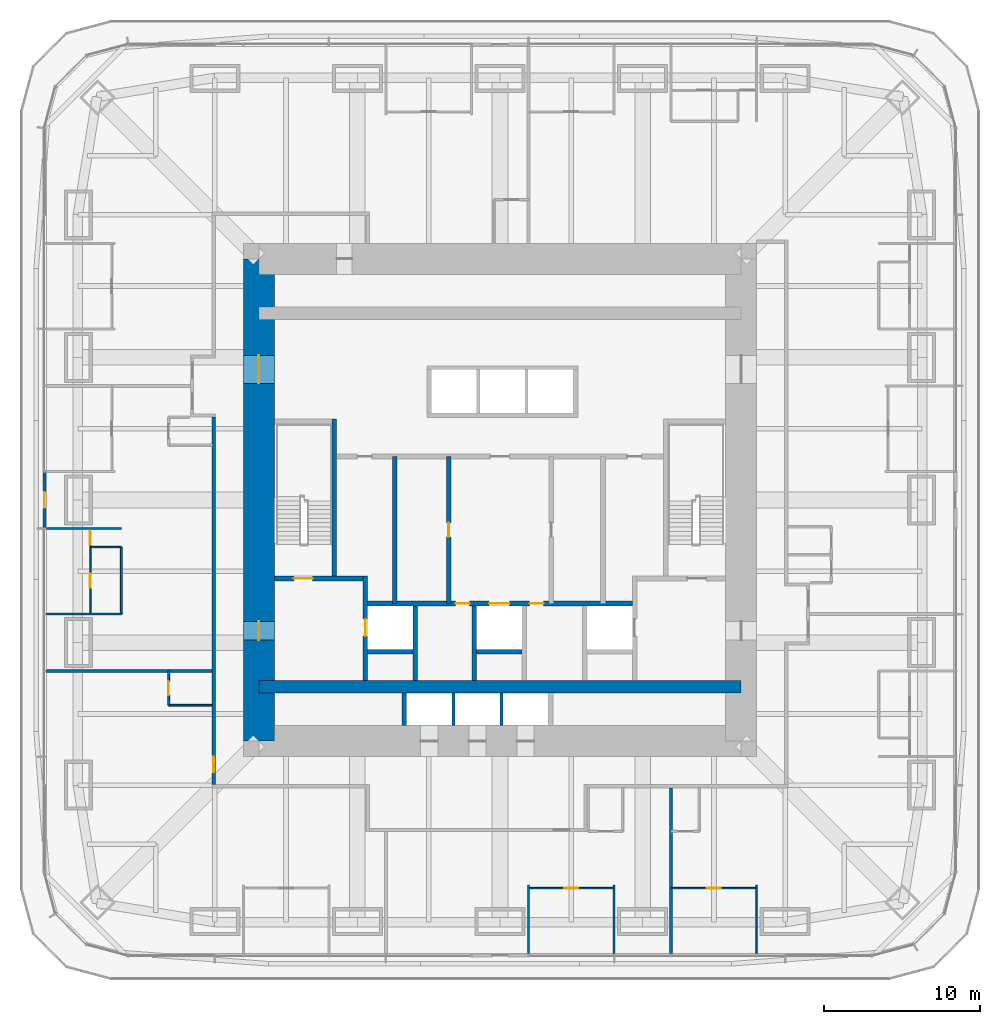
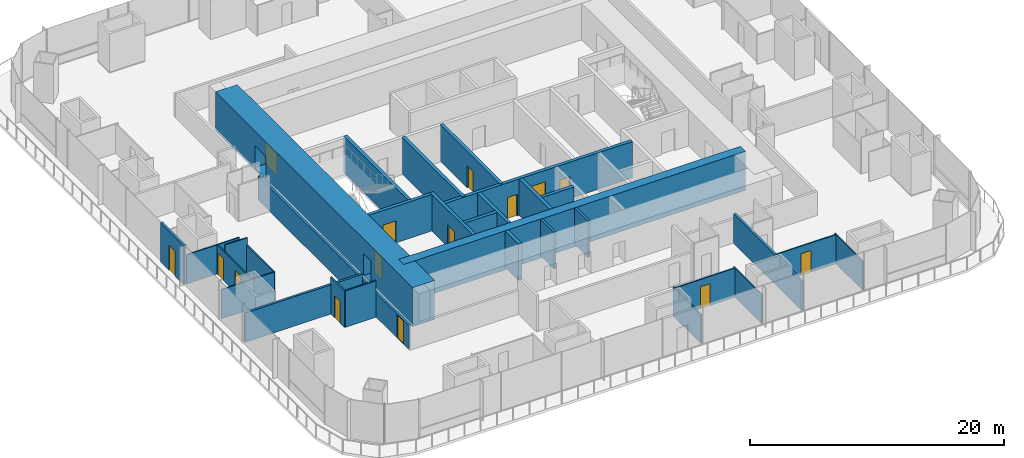
# One storey, part 11 of 16: 31 walls, 15 doors, 15 openings.
"""IFC4 building model written with IfcOpenShell, lengths in metres."""

from ifc_helpers import new_model, si_unit, direction, frame, frame_2d, origin, place, context, subcontext, project, spatial, rectangle, extrude, material, layer, layer_set, type_object, element, fill, save


model = new_model("IFC4")

# Units and contexts
model_context = context("Model", 3, precision=1e-05, world=origin(), true_north=direction((0.0, 1.0)))
body_context = subcontext(model_context, "Body", "Model", "MODEL_VIEW")
ifc_project = project(units=[si_unit("LENGTHUNIT", "METRE"), si_unit("AREAUNIT", "SQUARE_METRE"), si_unit("VOLUMEUNIT", "CUBIC_METRE"), si_unit("PLANEANGLEUNIT", "RADIAN"), si_unit("MASSUNIT", "GRAM", prefix="KILO")], contexts=[model_context])

# Site, building, storey
site_placement = place(None, origin())
site = spatial("IfcSite", under=ifc_project, at=site_placement, CompositionType="ELEMENT")
building_placement = place(site_placement, origin())
building = spatial("IfcBuilding", under=site, at=building_placement, Name="Khuree Lantern Residences", CompositionType="ELEMENT")
storey_placement = place(building_placement, frame((0.0, 0.0, 107.25)))
storey = spatial("IfcBuildingStorey", under=building, at=storey_placement, Name="L26", CompositionType="ELEMENT", Elevation=107.25)

# Wall
ifc_material_1 = material(Name="Moisture-resistant gypsum board on steel studs", Category="steel")
ifc_layer_1 = layer(ifc_material_1, 0.125)
ifc_layer_set_1 = layer_set([ifc_layer_1], Name="BATHROOM WALL BTW125")
wall_type_1 = type_object("IfcWallType", Name="BATHROOM WALL BTW125", PredefinedType="PARTITIONING", material=ifc_layer_set_1)
wall_1_placement = place(storey_placement, frame((-24.329833984375, -3.031982421875, 0.0), z_axis=(0.0, 0.0, 1.0), x_axis=(0.0, -1.0, 0.0)))
element("IfcWall", 1, at=wall_1_placement, inside=storey, type_object=wall_type_1, Name="L26 BATHROOM WALL 03", PredefinedType="PARTITIONING", context=body_context, shape_type="SweptSolid", body=[
    extrude(rectangle(XDim=4.2958984375, YDim=0.125, at=frame_2d((2.14794921875, 0.0))), origin(), (0.0, 0.0, 1.0), 2.81005859375),
])

# Wall, opening, door
wall_2_placement = place(storey_placement, frame((-21.300048828125, -10.991943359375, 0.0), z_axis=(0.0, 0.0, 1.0), x_axis=(0.0, -1.0, 0.0)))
wall_2 = element("IfcWall", 2, at=wall_2_placement, inside=storey, type_object=wall_type_1, Name="L26 BATHROOM WALL 04", PredefinedType="PARTITIONING", context=body_context, shape_type="SweptSolid", body=[
    extrude(rectangle(XDim=2.199951171875, YDim=0.125, at=frame_2d((1.10009765625, 0.0))), origin(), (0.0, 0.0, 1.0), 3.5),
])
opening_1_placement = place(wall_2_placement, frame((0.64990234375, 0.0, 0.0)))
opening_1 = element("IfcOpeningElement", 3, at=opening_1_placement, cuts=wall_2, Name="Opening 26-040", PredefinedType="OPENING", context=body_context, shape_type="SweptSolid", body=[
    extrude(rectangle(XDim=0.89990234375, YDim=2.10009765625, at=frame_2d((0.449951171875, 1.050048828125))), frame((0.0, 0.072509765625, 0.0), z_axis=(0.0, -1.0, 0.0), x_axis=(1.0, 0.0, 0.0)), (0.0, 0.0, 1.0), 0.14501953125),
])
ifc_material_2 = material(Name="Timber door leaf in hardwood frame", Category="wood")
door_type_1 = type_object("IfcDoorType", Name="BATHROOM DOOR 900X2100", OperationType="SINGLE_SWING_LEFT", PredefinedType="DOOR", material=ifc_material_2)
door_1_placement = place(opening_1_placement, origin())
door_1 = element("IfcDoor", 4, at=door_1_placement, inside=storey, type_object=door_type_1, Name="Bathroom door 26-040", OperationType="SINGLE_SWING_LEFT", OverallHeight=2.10009765625, OverallWidth=0.89990234375, PredefinedType="DOOR", context=body_context, shape_type="SweptSolid", body=[
    extrude(rectangle(XDim=0.89990234375, YDim=2.10009765625, at=frame_2d((0.449951171875, 1.050048828125))), frame((0.0, 0.02490234375, 0.0), z_axis=(0.0, -1.0, 0.0), x_axis=(1.0, 0.0, 0.0)), (0.0, 0.0, 1.0), 0.050048828125),
])
fill(opening_1, door_1)

# Wall
wall_3_placement = place(storey_placement, frame((-18.5, -13.19189453125, 0.0), z_axis=(0.0, 0.0, 1.0), x_axis=(-1.0, 0.0, 0.0)))
element("IfcWall", 5, at=wall_3_placement, inside=storey, type_object=wall_type_1, Name="L26 BATHROOM WALL 04", PredefinedType="PARTITIONING", context=body_context, shape_type="SweptSolid", body=[
    extrude(rectangle(XDim=2.800048828125, YDim=0.125, at=frame_2d((1.39990234375, 0.0))), origin(), (0.0, 0.0, 1.0), 3.5),
])

# Wall, opening, door
ifc_material_3 = material(Name="Dense concrete blockwork", Category="masonry")
ifc_layer_2 = layer(ifc_material_3, 0.300048828125)
ifc_layer_set_2 = layer_set([ifc_layer_2], Name="CORE PARTITION WALL CPW300 EI 120")
wall_type_2 = type_object("IfcWallType", Name="CORE PARTITION WALL CPW300 EI 120", PredefinedType="PARTITIONING", material=ifc_layer_set_2)
wall_4_placement = place(storey_placement, frame((-8.64990234375, -11.60009765625, 0.0), z_axis=(0.0, 0.0, 1.0), x_axis=(0.0, 1.0, 0.0)))
wall_4 = element("IfcWall", 6, at=wall_4_placement, inside=storey, type_object=wall_type_2, Name="L26 CORE WALL FL1W", PredefinedType="PARTITIONING", context=body_context, shape_type="SweptSolid", body=[
    extrude(rectangle(XDim=6.7001953125, YDim=0.300048828125, at=frame_2d((3.35009765625, 0.0))), origin(), (0.0, 0.0, 1.0), 3.5),
])
opening_2_placement = place(wall_4_placement, frame((2.85009765625, 0.0, 0.0)))
opening_2 = element("IfcOpeningElement", 7, at=opening_2_placement, cuts=wall_4, Name="Opening 26-007", PredefinedType="OPENING", context=body_context, shape_type="SweptSolid", body=[
    extrude(rectangle(XDim=1.10009765625, YDim=2.10009765625, at=frame_2d((0.550048828125, 1.050048828125))), frame((0.0, 0.16015625, 0.0), z_axis=(0.0, -1.0, 0.0), x_axis=(1.0, 0.0, 0.0)), (0.0, 0.0, 1.0), 0.320068359375),
])
ifc_material_4 = material(Name="Stainless steel lift landing door", Category="steel")
door_type_2 = type_object("IfcDoorType", Name="LIFT LANDING DOOR 1100X2100 E 120", OperationType="DOUBLE_DOOR_SLIDING", PredefinedType="DOOR", material=ifc_material_4)
door_2_placement = place(opening_2_placement, origin())
door_2 = element("IfcDoor", 8, at=door_2_placement, inside=storey, type_object=door_type_2, Name="Landing door FL1 26-007", OperationType="DOUBLE_DOOR_SLIDING", OverallHeight=2.10009765625, OverallWidth=1.10009765625, PredefinedType="DOOR", context=body_context, shape_type="SweptSolid", body=[
    extrude(rectangle(XDim=1.10009765625, YDim=2.10009765625, at=frame_2d((0.550048828125, 1.050048828125))), frame((0.0, 0.02490234375, 0.0), z_axis=(0.0, -1.0, 0.0), x_axis=(1.0, 0.0, 0.0)), (0.0, 0.0, 1.0), 0.050048828125),
])
fill(opening_2, door_2)

# Wall, openings, doors
wall_5_placement = place(storey_placement, frame((-8.5, -6.64990234375, 0.0), z_axis=(0.0, 0.0, 1.0), x_axis=(1.0, 0.0, 0.0)))
wall_5 = element("IfcWall", 9, at=wall_5_placement, inside=storey, type_object=wall_type_2, Name="L26 CORE WALL FLROW", PredefinedType="PARTITIONING", context=body_context, shape_type="SweptSolid", body=[
    extrude(rectangle(XDim=17.0, YDim=0.300048828125, at=frame_2d((8.5, 0.0))), origin(), (0.0, 0.0, 1.0), 3.5),
])
opening_3_placement = place(wall_5_placement, frame((7.800048828125, 0.0, 0.0)))
opening_3 = element("IfcOpeningElement", 10, at=opening_3_placement, cuts=wall_5, Name="Opening 26-012", PredefinedType="OPENING", context=body_context, shape_type="SweptSolid", body=[
    extrude(rectangle(XDim=1.300048828125, YDim=2.39990234375, at=frame_2d((0.64990234375, 1.199951171875))), frame((0.0, 0.16015625, 0.0), z_axis=(0.0, -1.0, 0.0), x_axis=(1.0, 0.0, 0.0)), (0.0, 0.0, 1.0), 0.320068359375),
])
opening_4_placement = place(wall_5_placement, frame((5.64990234375, 0.0, 0.0)))
opening_4 = element("IfcOpeningElement", 11, at=opening_4_placement, cuts=wall_5, Name="Opening 26-014", PredefinedType="OPENING", context=body_context, shape_type="SweptSolid", body=[
    extrude(rectangle(XDim=0.89990234375, YDim=2.10009765625, at=frame_2d((0.449951171875, 1.050048828125))), frame((0.0, 0.16015625, 0.0), z_axis=(0.0, -1.0, 0.0), x_axis=(1.0, 0.0, 0.0)), (0.0, 0.0, 1.0), 0.320068359375),
])
opening_5_placement = place(wall_5_placement, frame((10.39990234375, 0.0, 0.0)))
opening_5 = element("IfcOpeningElement", 12, at=opening_5_placement, cuts=wall_5, Name="Opening 26-015", PredefinedType="OPENING", context=body_context, shape_type="SweptSolid", body=[
    extrude(rectangle(XDim=0.89990234375, YDim=2.10009765625, at=frame_2d((0.449951171875, 1.050048828125))), frame((0.0, 0.16015625, 0.0), z_axis=(0.0, -1.0, 0.0), x_axis=(1.0, 0.0, 0.0)), (0.0, 0.0, 1.0), 0.320068359375),
])
ifc_material_5 = material(Name="Steel door leaf in steel frame", Category="steel")
door_type_3 = type_object("IfcDoorType", Name="DOOR 900X2100 EI 60", OperationType="SINGLE_SWING_LEFT", PredefinedType="DOOR", material=ifc_material_5)
door_3_placement = place(opening_4_placement, origin())
door_3 = element("IfcDoor", 13, at=door_3_placement, inside=storey, type_object=door_type_3, Name="Refuse chute room door 26-014", OperationType="SINGLE_SWING_LEFT", OverallHeight=2.10009765625, OverallWidth=0.89990234375, PredefinedType="DOOR", context=body_context, shape_type="SweptSolid", body=[
    extrude(rectangle(XDim=0.89990234375, YDim=2.10009765625, at=frame_2d((0.449951171875, 1.050048828125))), frame((0.0, 0.02490234375, 0.0), z_axis=(0.0, -1.0, 0.0), x_axis=(1.0, 0.0, 0.0)), (0.0, 0.0, 1.0), 0.050048828125),
])
fill(opening_4, door_3)
door_type_4 = type_object("IfcDoorType", Name="DOOR 900X2100 EI 60 RIGHT HAND", OperationType="SINGLE_SWING_RIGHT", PredefinedType="DOOR", material=ifc_material_5)
door_4_placement = place(opening_5_placement, origin())
door_4 = element("IfcDoor", 14, at=door_4_placement, inside=storey, type_object=door_type_4, Name="Electrical and plumbing riser door 26-015", OperationType="SINGLE_SWING_RIGHT", OverallHeight=2.10009765625, OverallWidth=0.89990234375, PredefinedType="DOOR", context=body_context, shape_type="SweptSolid", body=[
    extrude(rectangle(XDim=0.89990234375, YDim=2.10009765625, at=frame_2d((0.449951171875, 1.050048828125))), frame((0.0, 0.02490234375, 0.0), z_axis=(0.0, -1.0, 0.0), x_axis=(1.0, 0.0, 0.0)), (0.0, 0.0, 1.0), 0.050048828125),
])
fill(opening_5, door_4)
door_type_5 = type_object("IfcDoorType", Name="LIFT LANDING DOOR 1300X2400 E 60", OperationType="DOUBLE_DOOR_SLIDING", PredefinedType="DOOR", material=ifc_material_4)
door_5_placement = place(opening_3_placement, origin())
door_5 = element("IfcDoor", 15, at=door_5_placement, inside=storey, type_object=door_type_5, Name="Landing door SL1 26-012", OperationType="DOUBLE_DOOR_SLIDING", OverallHeight=2.39990234375, OverallWidth=1.300048828125, PredefinedType="DOOR", context=body_context, shape_type="SweptSolid", body=[
    extrude(rectangle(XDim=1.300048828125, YDim=2.39990234375, at=frame_2d((0.64990234375, 1.199951171875))), frame((0.0, 0.02490234375, 0.0), z_axis=(0.0, -1.0, 0.0), x_axis=(1.0, 0.0, 0.0)), (0.0, 0.0, 1.0), 0.050048828125),
])
fill(opening_3, door_5)

# Walls
for number, where, z_axis, x_axis, name in (
    (16, (-5.449951171875, -11.60009765625, 0.0), (0.0, 0.0, 1.0), (0.0, 1.0, 0.0), "L26 CORE WALL FL1E"),
    (17, (-1.64990234375, -11.60009765625, 0.0), (0.0, 0.0, 1.0), (0.0, 1.0, 0.0), "L26 CORE WALL SL1W"),
):
    element("IfcWall", number, at=place(storey_placement, frame(where, z_axis=z_axis, x_axis=x_axis)), inside=storey, type_object=wall_type_2, Name=name, PredefinedType="PARTITIONING", context=body_context, shape_type="SweptSolid", body=[
        extrude(rectangle(XDim=4.800048828125, YDim=0.300048828125, at=frame_2d((2.39990234375, 0.0))), origin(), (0.0, 0.0, 1.0), 3.5),
    ])
for number, where, z_axis, x_axis, name in (
    (18, (-8.5, -9.75, 0.0), (0.0, 0.0, 1.0), (1.0, 0.0, 0.0), "L26 CORE WALL FL1S"),
    (19, (-1.5, -9.75, 0.0), (0.0, 0.0, 1.0), (1.0, 0.0, 0.0), "L26 CORE WALL SL1S"),
):
    element("IfcWall", number, at=place(storey_placement, frame(where, z_axis=z_axis, x_axis=x_axis)), inside=storey, type_object=wall_type_2, Name=name, PredefinedType="PARTITIONING", context=body_context, shape_type="SweptSolid", body=[
        extrude(rectangle(XDim=2.89990234375, YDim=0.300048828125, at=frame_2d((1.449951171875, 0.0))), origin(), (0.0, 0.0, 1.0), 3.5),
    ])
wall_6_placement = place(storey_placement, frame((-6.14990234375, -14.5, 0.0), z_axis=(0.0, 0.0, 1.0), x_axis=(0.0, 1.0, 0.0)))
element("IfcWall", 20, at=wall_6_placement, inside=storey, type_object=wall_type_2, Name="L26 CORE WALL PMW", PredefinedType="PARTITIONING", context=body_context, shape_type="SweptSolid", body=[
    extrude(rectangle(XDim=2.10009765625, YDim=0.300048828125, at=frame_2d((1.050048828125, 0.0))), origin(), (0.0, 0.0, 1.0), 3.5),
])

# Wall, opening, door
wall_7_placement = place(storey_placement, frame((-3.300048828125, -6.64990234375, 0.0), z_axis=(0.0, 0.0, 1.0), x_axis=(0.0, 1.0, 0.0)))
wall_7 = element("IfcWall", 21, at=wall_7_placement, inside=storey, type_object=wall_type_2, Name="L26 CORE WALL SVW", PredefinedType="PARTITIONING", context=body_context, shape_type="SweptSolid", body=[
    extrude(rectangle(XDim=9.449951171875, YDim=0.300048828125, at=frame_2d((4.72509765625, 0.0))), origin(), (0.0, 0.0, 1.0), 3.5),
])
opening_6_placement = place(wall_7_placement, frame((4.27490234375, 0.0, 0.0)))
opening_6 = element("IfcOpeningElement", 22, at=opening_6_placement, cuts=wall_7, Name="Opening 26-016", PredefinedType="OPENING", context=body_context, shape_type="SweptSolid", body=[
    extrude(rectangle(XDim=0.89990234375, YDim=2.10009765625, at=frame_2d((0.449951171875, 1.050048828125))), frame((0.0, 0.16015625, 0.0), z_axis=(0.0, -1.0, 0.0), x_axis=(1.0, 0.0, 0.0)), (0.0, 0.0, 1.0), 0.320068359375),
])
door_type_6 = type_object("IfcDoorType", Name="DOOR 900X2100", OperationType="SINGLE_SWING_LEFT", PredefinedType="DOOR", material=ifc_material_2)
door_6_placement = place(opening_6_placement, origin())
door_6 = element("IfcDoor", 23, at=door_6_placement, inside=storey, type_object=door_type_6, Name="Residents' store door 26-016", OperationType="SINGLE_SWING_LEFT", OverallHeight=2.10009765625, OverallWidth=0.89990234375, PredefinedType="DOOR", context=body_context, shape_type="SweptSolid", body=[
    extrude(rectangle(XDim=0.89990234375, YDim=2.10009765625, at=frame_2d((0.449951171875, 1.050048828125))), frame((0.0, 0.02490234375, 0.0), z_axis=(0.0, -1.0, 0.0), x_axis=(1.0, 0.0, 0.0)), (0.0, 0.0, 1.0), 0.050048828125),
])
fill(opening_6, door_6)

# Wall
wall_8_placement = place(storey_placement, frame((-6.763916015625, -6.64990234375, 0.0), z_axis=(0.0, 0.0, 1.0), x_axis=(0.0, 1.0, 0.0)))
element("IfcWall", 24, at=wall_8_placement, inside=storey, type_object=wall_type_2, Name="L26 CORE WALL WV", PredefinedType="PARTITIONING", context=body_context, shape_type="SweptSolid", body=[
    extrude(rectangle(XDim=9.449951171875, YDim=0.300048828125, at=frame_2d((4.72509765625, 0.0))), origin(), (0.0, 0.0, 1.0), 3.5),
])

# Wall, opening, door
ifc_material_6 = material(Name="Gypsum board on steel studs", Category="steel")
ifc_layer_3 = layer(ifc_material_6, 0.199951171875)
ifc_layer_set_3 = layer_set([ifc_layer_3], Name="CORRIDOR WALL CRW200 EI 60")
wall_type_3 = type_object("IfcWallType", Name="CORRIDOR WALL CRW200 EI 60", PredefinedType="PARTITIONING", material=ifc_layer_set_3)
wall_9_placement = place(storey_placement, frame((-18.39990234375, 5.327880859375, 0.0), z_axis=(0.0, 0.0, 1.0), x_axis=(0.0, -1.0, 0.0)))
wall_9 = element("IfcWall", 25, at=wall_9_placement, inside=storey, type_object=wall_type_3, Name="L26 CORRIDOR WALL WEST 2", PredefinedType="PARTITIONING", context=body_context, shape_type="SweptSolid", body=[
    extrude(rectangle(XDim=23.6279296875, YDim=0.199951171875, at=frame_2d((11.81396484375, 0.0))), origin(), (0.0, 0.0, 1.0), 2.300048828125),
])
opening_7_placement = place(wall_9_placement, frame((21.840087890625, 0.0, 0.0)))
opening_7 = element("IfcOpeningElement", 26, at=opening_7_placement, cuts=wall_9, Name="Opening 26-041", PredefinedType="OPENING", context=body_context, shape_type="SweptSolid", body=[
    extrude(rectangle(XDim=1.0, YDim=2.199951171875, at=frame_2d((0.5, 1.10009765625))), frame((0.0, 0.10986328125, 0.0), z_axis=(0.0, -1.0, 0.0), x_axis=(1.0, 0.0, 0.0)), (0.0, 0.0, 1.0), 0.219970703125),
])
door_type_7 = type_object("IfcDoorType", Name="APARTMENT ENTRANCE DOOR 1000X2200 EI 30S RIGHT HAND", OperationType="SINGLE_SWING_RIGHT", PredefinedType="DOOR", material=ifc_material_2)
door_7_placement = place(opening_7_placement, origin())
door_7 = element("IfcDoor", 27, at=door_7_placement, inside=storey, type_object=door_type_7, Name="Apartment 04 entrance door 26-041", OperationType="SINGLE_SWING_RIGHT", OverallHeight=2.199951171875, OverallWidth=1.0, PredefinedType="DOOR", context=body_context, shape_type="SweptSolid", body=[
    extrude(rectangle(XDim=1.0, YDim=2.199951171875, at=frame_2d((0.5, 1.10009765625))), frame((0.0, 0.02490234375, 0.0), z_axis=(0.0, -1.0, 0.0), x_axis=(1.0, 0.0, 0.0)), (0.0, 0.0, 1.0), 0.050048828125),
])
fill(opening_7, door_7)

# Wall, openings, doors
ifc_material_7 = material(Name="Concrete C70/85", Category="concrete")
ifc_layer_4 = layer(ifc_material_7, 2.0)
ifc_layer_set_4 = layer_set([ifc_layer_4], Name="CW2000-C70 CORE WALL C70 2000")
wall_type_4 = type_object("IfcWallType", Name="CW2000-C70 CORE WALL C70 2000", PredefinedType="SHEAR", material=ifc_layer_set_4)
wall_10_placement = place(storey_placement, frame((-15.5, -15.5, -0.25), z_axis=(0.0, 0.0, 1.0), x_axis=(0.0, 1.0, 0.0)))
wall_10 = element("IfcWall", 28, at=wall_10_placement, inside=storey, type_object=wall_type_4, Name="Core wall W", PredefinedType="SHEAR", context=body_context, shape_type="SweptSolid", body=[
    extrude(rectangle(XDim=31.0, YDim=2.0, at=frame_2d((15.5, 0.0))), origin(), (0.0, 0.0, 1.0), 3.75),
])
opening_8_placement = place(wall_10_placement, frame((6.5, 0.0, 0.25)))
opening_8 = element("IfcOpeningElement", 29, at=opening_8_placement, cuts=wall_10, Name="Opening 26-002", PredefinedType="OPENING", context=body_context, shape_type="SweptSolid", body=[
    extrude(rectangle(XDim=1.199951171875, YDim=2.10009765625, at=frame_2d((0.60009765625, 1.050048828125))), frame((0.0, 1.010009765625, 0.0), z_axis=(0.0, -1.0, 0.0), x_axis=(1.0, 0.0, 0.0)), (0.0, 0.0, 1.0), 2.02001953125),
])
opening_9_placement = place(wall_10_placement, frame((23.0, 0.0, 0.25)))
opening_9 = element("IfcOpeningElement", 30, at=opening_9_placement, cuts=wall_10, Name="Opening 26-003", PredefinedType="OPENING", context=body_context, shape_type="SweptSolid", body=[
    extrude(rectangle(XDim=1.800048828125, YDim=2.10009765625, at=frame_2d((0.89990234375, 1.050048828125))), frame((0.0, 1.010009765625, 0.0), z_axis=(0.0, -1.0, 0.0), x_axis=(1.0, 0.0, 0.0)), (0.0, 0.0, 1.0), 2.02001953125),
])
door_type_8 = type_object("IfcDoorType", Name="LOBBY DOOR 1200X2100 EI 120", OperationType="SINGLE_SWING_LEFT", PredefinedType="DOOR", material=ifc_material_5)
door_8_placement = place(opening_8_placement, origin())
door_8 = element("IfcDoor", 31, at=door_8_placement, inside=storey, type_object=door_type_8, Name="Firefighting lobby door 26-002", OperationType="SINGLE_SWING_LEFT", OverallHeight=2.10009765625, OverallWidth=1.199951171875, PredefinedType="DOOR", context=body_context, shape_type="SweptSolid", body=[
    extrude(rectangle(XDim=1.199951171875, YDim=2.10009765625, at=frame_2d((0.60009765625, 1.050048828125))), frame((0.0, 0.02490234375, 0.0), z_axis=(0.0, -1.0, 0.0), x_axis=(1.0, 0.0, 0.0)), (0.0, 0.0, 1.0), 0.050048828125),
])
fill(opening_8, door_8)
door_type_9 = type_object("IfcDoorType", Name="LOBBY DOUBLE DOOR 1800X2100 EI 60", OperationType="DOUBLE_DOOR_SINGLE_SWING", PredefinedType="DOOR", material=ifc_material_5)
door_9_placement = place(opening_9_placement, origin())
door_9 = element("IfcDoor", 32, at=door_9_placement, inside=storey, type_object=door_type_9, Name="Lift lobby door 26-003", OperationType="DOUBLE_DOOR_SINGLE_SWING", OverallHeight=2.10009765625, OverallWidth=1.800048828125, PredefinedType="DOOR", context=body_context, shape_type="SweptSolid", body=[
    extrude(rectangle(XDim=1.800048828125, YDim=2.10009765625, at=frame_2d((0.89990234375, 1.050048828125))), frame((0.0, 0.02490234375, 0.0), z_axis=(0.0, -1.0, 0.0), x_axis=(1.0, 0.0, 0.0)), (0.0, 0.0, 1.0), 0.050048828125),
])
fill(opening_9, door_9)

# Walls
ifc_layer_5 = layer(ifc_material_6, 0.199951171875)
ifc_layer_set_5 = layer_set([ifc_layer_5], Name="DEMISING WALL DMW200 EI 90")
wall_type_5 = type_object("IfcWallType", Name="DEMISING WALL DMW200 EI 90", PredefinedType="PARTITIONING", material=ifc_layer_set_5)
for number, where, z_axis, x_axis, name in (
    (33, (-18.5, -10.991943359375, 0.0), (0.0, 0.0, 1.0), (-1.0, 0.0, 0.0), "L26 DEMISING WALL 04"),
    (34, (10.991943359375, -18.5, 0.0), (0.0, 0.0, 1.0), (0.0, -1.0, 0.0), "L26 DEMISING WALL 06"),
):
    element("IfcWall", number, at=place(storey_placement, frame(where, z_axis=z_axis, x_axis=x_axis)), inside=storey, type_object=wall_type_5, Name=name, PredefinedType="PARTITIONING", context=body_context, shape_type="SweptSolid", body=[
        extrude(rectangle(XDim=10.64990234375, YDim=0.199951171875, at=frame_2d((5.324951171875, 0.0))), origin(), (0.0, 0.0, 1.0), 2.81005859375),
    ])
ifc_layer_6 = layer(ifc_material_6, 0.10009765625)
ifc_layer_set_6 = layer_set([ifc_layer_6], Name="PARTITION PT100")
wall_type_6 = type_object("IfcWallType", Name="PARTITION PT100", PredefinedType="PARTITIONING", material=ifc_layer_set_6)
for number, where, z_axis, x_axis, name in (
    (35, (-24.329833984375, -1.83203125, 0.0), (0.0, 0.0, 1.0), (-1.0, 0.0, 0.0), "L26 PARTITION 03"),
    (36, (-24.329833984375, -7.327880859375, 0.0), (0.0, 0.0, 1.0), (-1.0, 0.0, 0.0), "L26 PARTITION 03"),
):
    element("IfcWall", number, at=place(storey_placement, frame(where, z_axis=z_axis, x_axis=x_axis)), inside=storey, type_object=wall_type_6, Name=name, PredefinedType="PARTITIONING", context=body_context, shape_type="SweptSolid", body=[
        extrude(rectangle(XDim=4.820068359375, YDim=0.10009765625, at=frame_2d((2.41015625, 0.0))), origin(), (0.0, 0.0, 1.0), 2.81005859375),
    ])
for number, where, z_axis, x_axis, name in (
    (37, (1.83203125, -24.75, 0.0), (0.0, 0.0, 1.0), (0.0, -1.0, 0.0), "L26 PARTITION 05"),
    (38, (7.327880859375, -24.75, 0.0), (0.0, 0.0, 1.0), (0.0, -1.0, 0.0), "L26 PARTITION 05"),
    (39, (16.488037109375, -24.75, 0.0), (0.0, 0.0, 1.0), (0.0, -1.0, 0.0), "L26 PARTITION 06"),
):
    element("IfcWall", number, at=place(storey_placement, frame(where, z_axis=z_axis, x_axis=x_axis)), inside=storey, type_object=wall_type_6, Name=name, PredefinedType="PARTITIONING", context=body_context, shape_type="SweptSolid", body=[
        extrude(rectangle(XDim=4.39990234375, YDim=0.10009765625, at=frame_2d((2.199951171875, 0.0))), origin(), (0.0, 0.0, 1.0), 2.81005859375),
    ])

# Wall, openings, doors
wall_11_placement = place(storey_placement, frame((-26.329833984375, -1.83203125, 0.0), z_axis=(0.0, 0.0, 1.0), x_axis=(0.0, -1.0, 0.0)))
wall_11 = element("IfcWall", 40, at=wall_11_placement, inside=storey, type_object=wall_type_6, Name="L26 PARTITION 03", PredefinedType="PARTITIONING", context=body_context, shape_type="SweptSolid", body=[
    extrude(rectangle(XDim=5.495849609375, YDim=0.10009765625, at=frame_2d((2.748046875, 0.0))), origin(), (0.0, 0.0, 1.0), 2.81005859375),
])
opening_10_placement = place(wall_11_placement, frame((0.14990234375, 0.0, 0.0)))
opening_10 = element("IfcOpeningElement", 41, at=opening_10_placement, cuts=wall_11, Name="Opening 26-035", PredefinedType="OPENING", context=body_context, shape_type="SweptSolid", body=[
    extrude(rectangle(XDim=0.89990234375, YDim=2.10009765625, at=frame_2d((0.449951171875, 1.050048828125))), frame((0.0, 0.06005859375, 0.0), z_axis=(0.0, -1.0, 0.0), x_axis=(1.0, 0.0, 0.0)), (0.0, 0.0, 1.0), 0.1201171875),
])
opening_11_placement = place(wall_11_placement, frame((2.89794921875, 0.0, 0.0)))
opening_11 = element("IfcOpeningElement", 42, at=opening_11_placement, cuts=wall_11, Name="Opening 26-036", PredefinedType="OPENING", context=body_context, shape_type="SweptSolid", body=[
    extrude(rectangle(XDim=0.89990234375, YDim=2.10009765625, at=frame_2d((0.449951171875, 1.050048828125))), frame((0.0, 0.06005859375, 0.0), z_axis=(0.0, -1.0, 0.0), x_axis=(1.0, 0.0, 0.0)), (0.0, 0.0, 1.0), 0.1201171875),
])
door_10_placement = place(opening_11_placement, origin())
door_10 = element("IfcDoor", 43, at=door_10_placement, inside=storey, type_object=door_type_1, Name="Bathroom door 26-036", OperationType="SINGLE_SWING_LEFT", OverallHeight=2.10009765625, OverallWidth=0.89990234375, PredefinedType="DOOR", context=body_context, shape_type="SweptSolid", body=[
    extrude(rectangle(XDim=0.89990234375, YDim=2.10009765625, at=frame_2d((0.449951171875, 1.050048828125))), frame((0.0, 0.02490234375, 0.0), z_axis=(0.0, -1.0, 0.0), x_axis=(1.0, 0.0, 0.0)), (0.0, 0.0, 1.0), 0.050048828125),
])
fill(opening_11, door_10)
door_type_10 = type_object("IfcDoorType", Name="BEDROOM DOOR 900X2100", OperationType="SINGLE_SWING_LEFT", PredefinedType="DOOR", material=ifc_material_2)
door_11_placement = place(opening_10_placement, origin())
door_11 = element("IfcDoor", 44, at=door_11_placement, inside=storey, type_object=door_type_10, Name="Bedroom door 26-035", OperationType="SINGLE_SWING_LEFT", OverallHeight=2.10009765625, OverallWidth=0.89990234375, PredefinedType="DOOR", context=body_context, shape_type="SweptSolid", body=[
    extrude(rectangle(XDim=0.89990234375, YDim=2.10009765625, at=frame_2d((0.449951171875, 1.050048828125))), frame((0.0, 0.02490234375, 0.0), z_axis=(0.0, -1.0, 0.0), x_axis=(1.0, 0.0, 0.0)), (0.0, 0.0, 1.0), 0.050048828125),
])
fill(opening_10, door_11)

# Wall
wall_12_placement = place(storey_placement, frame((-24.329833984375, -3.031982421875, 0.0), z_axis=(0.0, 0.0, 1.0), x_axis=(-1.0, 0.0, 0.0)))
element("IfcWall", 45, at=wall_12_placement, inside=storey, type_object=wall_type_6, Name="L26 PARTITION 03", PredefinedType="PARTITIONING", context=body_context, shape_type="SweptSolid", body=[
    extrude(rectangle(XDim=2.0, YDim=0.10009765625, at=frame_2d((1.0, 0.0))), origin(), (0.0, 0.0, 1.0), 3.5),
])

# Wall, opening, door
wall_13_placement = place(storey_placement, frame((1.83203125, -24.949951171875, 0.0), z_axis=(0.0, 0.0, 1.0), x_axis=(1.0, 0.0, 0.0)))
wall_13 = element("IfcWall", 46, at=wall_13_placement, inside=storey, type_object=wall_type_6, Name="L26 PARTITION 05", PredefinedType="PARTITIONING", context=body_context, shape_type="SweptSolid", body=[
    extrude(rectangle(XDim=5.495849609375, YDim=0.10009765625, at=frame_2d((2.748046875, 0.0))), origin(), (0.0, 0.0, 1.0), 2.81005859375),
])
opening_12_placement = place(wall_13_placement, frame((2.298095703125, 0.0, 0.0)))
opening_12 = element("IfcOpeningElement", 47, at=opening_12_placement, cuts=wall_13, Name="Opening 26-042", PredefinedType="OPENING", context=body_context, shape_type="SweptSolid", body=[
    extrude(rectangle(XDim=0.89990234375, YDim=2.10009765625, at=frame_2d((0.449951171875, 1.050048828125))), frame((0.0, 0.06005859375, 0.0), z_axis=(0.0, -1.0, 0.0), x_axis=(1.0, 0.0, 0.0)), (0.0, 0.0, 1.0), 0.1201171875),
])
door_12_placement = place(opening_12_placement, origin())
door_12 = element("IfcDoor", 48, at=door_12_placement, inside=storey, type_object=door_type_10, Name="Bedroom door 26-042", OperationType="SINGLE_SWING_LEFT", OverallHeight=2.10009765625, OverallWidth=0.89990234375, PredefinedType="DOOR", context=body_context, shape_type="SweptSolid", body=[
    extrude(rectangle(XDim=0.89990234375, YDim=2.10009765625, at=frame_2d((0.449951171875, 1.050048828125))), frame((0.0, 0.02490234375, 0.0), z_axis=(0.0, -1.0, 0.0), x_axis=(1.0, 0.0, 0.0)), (0.0, 0.0, 1.0), 0.050048828125),
])
fill(opening_12, door_12)

wall_14_placement = place(storey_placement, frame((10.991943359375, -24.949951171875, 0.0), z_axis=(0.0, 0.0, 1.0), x_axis=(1.0, 0.0, 0.0)))
wall_14 = element("IfcWall", 49, at=wall_14_placement, inside=storey, type_object=wall_type_6, Name="L26 PARTITION 06", PredefinedType="PARTITIONING", context=body_context, shape_type="SweptSolid", body=[
    extrude(rectangle(XDim=5.49609375, YDim=0.10009765625, at=frame_2d((2.748046875, 0.0))), origin(), (0.0, 0.0, 1.0), 2.81005859375),
])
opening_13_placement = place(wall_14_placement, frame((2.298095703125, 0.0, 0.0)))
opening_13 = element("IfcOpeningElement", 50, at=opening_13_placement, cuts=wall_14, Name="Opening 26-045", PredefinedType="OPENING", context=body_context, shape_type="SweptSolid", body=[
    extrude(rectangle(XDim=0.89990234375, YDim=2.10009765625, at=frame_2d((0.449951171875, 1.050048828125))), frame((0.0, 0.06005859375, 0.0), z_axis=(0.0, -1.0, 0.0), x_axis=(1.0, 0.0, 0.0)), (0.0, 0.0, 1.0), 0.1201171875),
])
door_13_placement = place(opening_13_placement, origin())
door_13 = element("IfcDoor", 51, at=door_13_placement, inside=storey, type_object=door_type_10, Name="Bedroom door 26-045", OperationType="SINGLE_SWING_LEFT", OverallHeight=2.10009765625, OverallWidth=0.89990234375, PredefinedType="DOOR", context=body_context, shape_type="SweptSolid", body=[
    extrude(rectangle(XDim=0.89990234375, YDim=2.10009765625, at=frame_2d((0.449951171875, 1.050048828125))), frame((0.0, 0.02490234375, 0.0), z_axis=(0.0, -1.0, 0.0), x_axis=(1.0, 0.0, 0.0)), (0.0, 0.0, 1.0), 0.050048828125),
])
fill(opening_13, door_13)

# Walls
ifc_layer_7 = layer(ifc_material_3, 0.199951171875)
ifc_layer_set_7 = layer_set([ifc_layer_7], Name="SHAFT WALL SHW200 EI 120")
wall_type_7 = type_object("IfcWallType", Name="SHAFT WALL SHW200 EI 120", PredefinedType="PARTITIONING", material=ifc_layer_set_7)
for number, where, z_axis, x_axis, name in (
    (52, (-3.0, -14.5, 0.0), (0.0, 0.0, 1.0), (0.0, 1.0, 0.0), "L26 CORE WALL PMD1"),
    (53, (0.10009765625, -14.5, 0.0), (0.0, 0.0, 1.0), (0.0, 1.0, 0.0), "L26 CORE WALL PMD2"),
):
    element("IfcWall", number, at=place(storey_placement, frame(where, z_axis=z_axis, x_axis=x_axis)), inside=storey, type_object=wall_type_7, Name=name, PredefinedType="PARTITIONING", context=body_context, shape_type="SweptSolid", body=[
        extrude(rectangle(XDim=2.10009765625, YDim=0.199951171875, at=frame_2d((1.050048828125, 0.0))), origin(), (0.0, 0.0, 1.0), 3.5),
    ])
ifc_layer_8 = layer(ifc_material_7, 0.800048828125)
ifc_layer_set_8 = layer_set([ifc_layer_8], Name="SP800-C70 CORE SPINE WALL C70 800")
wall_type_8 = type_object("IfcWallType", Name="SP800-C70 CORE SPINE WALL C70 800", PredefinedType="SHEAR", material=ifc_layer_set_8)
wall_15_placement = place(storey_placement, frame((-15.5, -12.0, -0.25), z_axis=(0.0, 0.0, 1.0), x_axis=(1.0, 0.0, 0.0)))
element("IfcWall", 54, at=wall_15_placement, inside=storey, type_object=wall_type_8, Name="Core wall SPS", PredefinedType="SHEAR", context=body_context, shape_type="SweptSolid", body=[
    extrude(rectangle(XDim=31.0, YDim=0.800048828125, at=frame_2d((15.5, 0.0))), origin(), (0.0, 0.0, 1.0), 3.75),
])
ifc_material_8 = material(Name="Concrete C50/60", Category="concrete")
ifc_layer_9 = layer(ifc_material_8, 0.300048828125)
ifc_layer_set_9 = layer_set([ifc_layer_9], Name="STAIR WALL SRW300 C50/60 REI 240")
wall_type_9 = type_object("IfcWallType", Name="STAIR WALL SRW300 C50/60 REI 240", PredefinedType="SOLIDWALL", material=ifc_layer_set_9)
wall_16_placement = place(storey_placement, frame((-10.64990234375, -4.89990234375, 0.0), z_axis=(0.0, 0.0, 1.0), x_axis=(0.0, 1.0, 0.0)))
element("IfcWall", 55, at=wall_16_placement, inside=storey, type_object=wall_type_9, Name="L26 STAIR WALL ST1E", PredefinedType="SOLIDWALL", context=body_context, shape_type="SweptSolid", body=[
    extrude(rectangle(XDim=10.099853515625, YDim=0.300048828125, at=frame_2d((5.0498046875, 0.0))), origin(), (0.0, 0.0, 1.0), 3.5),
])

# Wall, opening, door
wall_17_placement = place(storey_placement, frame((-14.5, -5.050048828125, 0.0), z_axis=(0.0, 0.0, 1.0), x_axis=(1.0, 0.0, 0.0)))
wall_17 = element("IfcWall", 56, at=wall_17_placement, inside=storey, type_object=wall_type_9, Name="L26 STAIR WALL ST1S", PredefinedType="SOLIDWALL", context=body_context, shape_type="SweptSolid", body=[
    extrude(rectangle(XDim=5.699951171875, YDim=0.300048828125, at=frame_2d((2.85009765625, 0.0))), origin(), (0.0, 0.0, 1.0), 3.5),
])
opening_14_placement = place(wall_17_placement, frame((1.25, 0.0, 0.0)))
opening_14 = element("IfcOpeningElement", 57, at=opening_14_placement, cuts=wall_17, Name="Opening 26-001", PredefinedType="OPENING", context=body_context, shape_type="SweptSolid", body=[
    extrude(rectangle(XDim=1.199951171875, YDim=2.10009765625, at=frame_2d((0.60009765625, 1.050048828125))), frame((0.0, 0.16015625, 0.0), z_axis=(0.0, -1.0, 0.0), x_axis=(1.0, 0.0, 0.0)), (0.0, 0.0, 1.0), 0.320068359375),
])
door_type_11 = type_object("IfcDoorType", Name="STAIR DOOR 1200X2100 EI 120", OperationType="SINGLE_SWING_LEFT", PredefinedType="DOOR", material=ifc_material_5)
door_14_placement = place(opening_14_placement, origin())
door_14 = element("IfcDoor", 58, at=door_14_placement, inside=storey, type_object=door_type_11, Name="Stair ST1 door 26-001", OperationType="SINGLE_SWING_LEFT", OverallHeight=2.10009765625, OverallWidth=1.199951171875, PredefinedType="DOOR", context=body_context, shape_type="SweptSolid", body=[
    extrude(rectangle(XDim=1.199951171875, YDim=2.10009765625, at=frame_2d((0.60009765625, 1.050048828125))), frame((0.0, 0.02490234375, 0.0), z_axis=(0.0, -1.0, 0.0), x_axis=(1.0, 0.0, 0.0)), (0.0, 0.0, 1.0), 0.050048828125),
])
fill(opening_14, door_14)

ifc_material_9 = material(Name="Bronze anodised aluminium insulated panel", Category="aluminium")
ifc_layer_10 = layer(ifc_material_9, 0.199951171875)
ifc_layer_set_10 = layer_set([ifc_layer_10], Name="TERRACE DOOR SURROUND TS1 200")
wall_type_10 = type_object("IfcWallType", Name="TERRACE DOOR SURROUND TS1 200", PredefinedType="ELEMENTEDWALL", material=ifc_layer_set_10)
wall_18_placement = place(storey_placement, frame((-29.280029296875, 1.799560546875, 0.0), z_axis=(0.0, 0.0, 1.0), x_axis=(0.0, -1.0, 0.0)))
wall_18 = element("IfcWall", 59, at=wall_18_placement, inside=storey, type_object=wall_type_10, Name="L26 WEST FACE TERRACE DOOR SURROUND 37", PredefinedType="ELEMENTEDWALL", context=body_context, shape_type="SweptSolid", body=[
    extrude(rectangle(XDim=3.59912109375, YDim=0.199951171875, at=frame_2d((1.799560546875, 0.0))), origin(), (0.0, 0.0, 1.0), 3.75),
])
opening_15_placement = place(wall_18_placement, frame((1.299560546875, 0.0, 0.0)))
opening_15 = element("IfcOpeningElement", 60, at=opening_15_placement, cuts=wall_18, Name="Opening 26-T03", PredefinedType="OPENING", context=body_context, shape_type="SweptSolid", body=[
    extrude(rectangle(XDim=1.0, YDim=2.39990234375, at=frame_2d((0.5, 1.199951171875))), frame((0.0, 0.10986328125, 0.0), z_axis=(0.0, -1.0, 0.0), x_axis=(1.0, 0.0, 0.0)), (0.0, 0.0, 1.0), 0.219970703125),
])
ifc_material_10 = material(Name="Bronze anodised aluminium framed triple glazing", Category="aluminium")
door_type_12 = type_object("IfcDoorType", Name="TERRACE DOOR D-T1 1000X2400", OperationType="SINGLE_SWING_RIGHT", PredefinedType="DOOR", material=ifc_material_10)
door_15_placement = place(opening_15_placement, origin())
door_15 = element("IfcDoor", 61, at=door_15_placement, inside=storey, type_object=door_type_12, Name="L26 WEST FACE TERRACE DOOR 26-T03", OperationType="SINGLE_SWING_LEFT", OverallHeight=2.39990234375, OverallWidth=1.0, PredefinedType="DOOR", context=body_context, shape_type="SweptSolid", body=[
    extrude(rectangle(XDim=1.0, YDim=2.39990234375, at=frame_2d((0.5, 1.199951171875))), frame((0.0, 0.02490234375, 0.0), z_axis=(0.0, -1.0, 0.0), x_axis=(1.0, 0.0, 0.0)), (0.0, 0.0, 1.0), 0.050048828125),
])
fill(opening_15, door_15)

save(model, "model.ifc")
